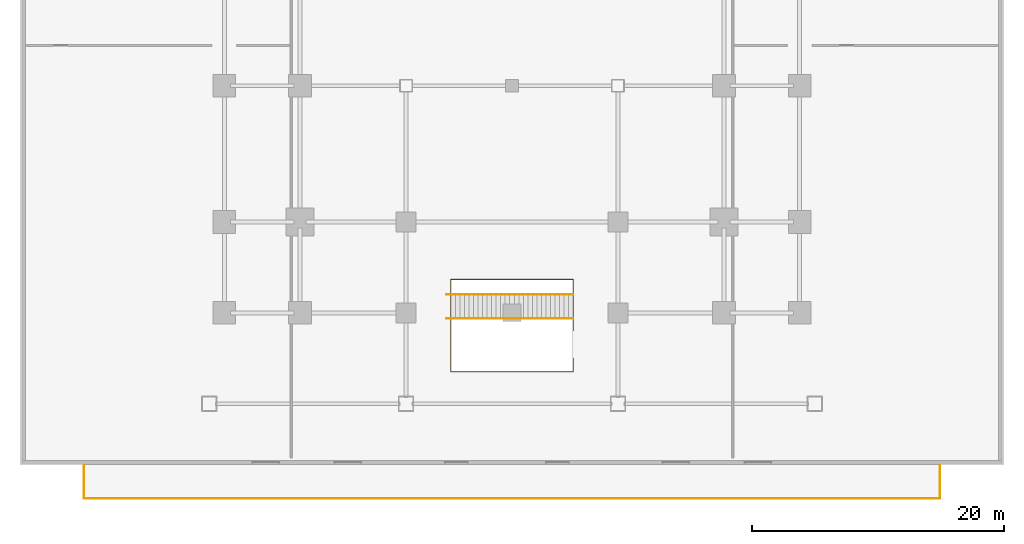
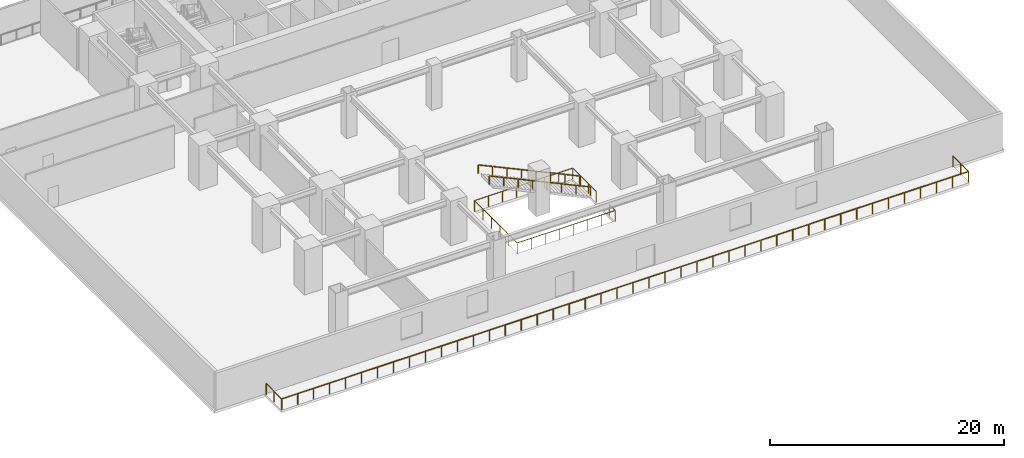
# One storey, part 12 of 17: 4 railings.
"""IFC4 building model written with IfcOpenShell, lengths in metres."""

from ifc_helpers import new_model, si_unit, direction, frame, origin, origin_2d, place, context, subcontext, project, spatial, rectangle, extrude, material, type_object, element, save


model = new_model("IFC4")

# Units and contexts
model_context = context("Model", 3, precision=1e-05, world=origin(), true_north=direction((0.0, 1.0)))
body_context = subcontext(model_context, "Body", "Model", "MODEL_VIEW")
ifc_project = project(units=[si_unit("LENGTHUNIT", "METRE"), si_unit("AREAUNIT", "SQUARE_METRE"), si_unit("VOLUMEUNIT", "CUBIC_METRE"), si_unit("PLANEANGLEUNIT", "RADIAN"), si_unit("MASSUNIT", "GRAM", prefix="KILO")], contexts=[model_context])

# Site, building, storey
site_placement = place(None, origin())
site = spatial("IfcSite", under=ifc_project, at=site_placement, CompositionType="ELEMENT")
building_placement = place(site_placement, origin())
building = spatial("IfcBuilding", under=site, at=building_placement, Name="Sumidabori Civic Tower", CompositionType="ELEMENT")
storey_placement = place(building_placement, frame((0.0, 0.0, 5.0)))
storey = spatial("IfcBuildingStorey", under=building, at=storey_placement, Name="L01", CompositionType="ELEMENT", Elevation=5.0)

# Railings
ifc_material_1 = material(Name="Anodised Bronze Aluminium AW-6063-T6", Category="aluminium")
railing_type_1 = type_object("IfcRailingType", Name="RL-BAL-1150", PredefinedType="BALUSTRADE", material=ifc_material_1)
railing_1_placement = place(storey_placement, frame((-33.919921875, -30.080078125, 0.0)))
element("IfcRailing", 1, at=railing_1_placement, inside=storey, type_object=railing_type_1, Name="Podium Terrace Balustrade TER-L01-S", PredefinedType="BALUSTRADE", context=body_context, shape_type="SweptSolid", body=[
    extrude(rectangle(XDim=0.048095703125, YDim=0.048095703125, at=origin_2d()), frame((0.0, 0.0, 1.1259765625), z_axis=(0.0, -1.0, 0.0), x_axis=(1.0, 0.0, 0.0)), (0.0, 0.0, 1.0), 2.639892578125),
    extrude(rectangle(XDim=0.048095703125, YDim=0.048095703125, at=origin_2d()), frame((0.0, -2.639892578125, 1.1259765625), z_axis=(1.0, 0.0, 0.0), x_axis=(0.0, 1.0, 0.0)), (0.0, 0.0, 1.0), 67.83984375),
    extrude(rectangle(XDim=0.048095703125, YDim=0.048095703125, at=origin_2d()), frame((67.83984375, -2.639892578125, 1.1259765625), z_axis=(0.0, 1.0, 0.0), x_axis=(-1.0, 0.0, 0.0)), (0.0, 0.0, 1.0), 2.639892578125),
    extrude(rectangle(XDim=0.0419921875, YDim=0.0419921875, at=origin_2d()), origin(), (0.0, 0.0, 1.0), 1.101806640625),
    extrude(rectangle(XDim=0.0419921875, YDim=0.0419921875, at=origin_2d()), frame((0.0, -1.31982421875, 0.0)), (0.0, 0.0, 1.0), 1.101806640625),
    extrude(rectangle(XDim=0.0419921875, YDim=0.0419921875, at=origin_2d()), frame((0.0, -2.639892578125, 0.0)), (0.0, 0.0, 1.0), 1.101806640625),
    extrude(rectangle(XDim=0.0419921875, YDim=0.0419921875, at=origin_2d()), frame((1.57763671875, -2.639892578125, 0.0)), (0.0, 0.0, 1.0), 1.101806640625),
    extrude(rectangle(XDim=0.0419921875, YDim=0.0419921875, at=origin_2d()), frame((3.1552734375, -2.639892578125, 0.0)), (0.0, 0.0, 1.0), 1.101806640625),
    extrude(rectangle(XDim=0.0419921875, YDim=0.0419921875, at=origin_2d()), frame((4.73291015625, -2.639892578125, 0.0)), (0.0, 0.0, 1.0), 1.101806640625),
    extrude(rectangle(XDim=0.0419921875, YDim=0.0419921875, at=origin_2d()), frame((6.310791015625, -2.639892578125, 0.0)), (0.0, 0.0, 1.0), 1.101806640625),
    extrude(rectangle(XDim=0.0419921875, YDim=0.0419921875, at=origin_2d()), frame((7.888427734375, -2.639892578125, 0.0)), (0.0, 0.0, 1.0), 1.101806640625),
    extrude(rectangle(XDim=0.0419921875, YDim=0.0419921875, at=origin_2d()), frame((9.466064453125, -2.639892578125, 0.0)), (0.0, 0.0, 1.0), 1.101806640625),
    extrude(rectangle(XDim=0.0419921875, YDim=0.0419921875, at=origin_2d()), frame((11.043701171875, -2.639892578125, 0.0)), (0.0, 0.0, 1.0), 1.101806640625),
    extrude(rectangle(XDim=0.0419921875, YDim=0.0419921875, at=origin_2d()), frame((12.621337890625, -2.639892578125, 0.0)), (0.0, 0.0, 1.0), 1.101806640625),
    extrude(rectangle(XDim=0.0419921875, YDim=0.0419921875, at=origin_2d()), frame((14.198974609375, -2.639892578125, 0.0)), (0.0, 0.0, 1.0), 1.101806640625),
    extrude(rectangle(XDim=0.0419921875, YDim=0.0419921875, at=origin_2d()), frame((15.776611328125, -2.639892578125, 0.0)), (0.0, 0.0, 1.0), 1.101806640625),
    extrude(rectangle(XDim=0.0419921875, YDim=0.0419921875, at=origin_2d()), frame((17.3544921875, -2.639892578125, 0.0)), (0.0, 0.0, 1.0), 1.101806640625),
    extrude(rectangle(XDim=0.0419921875, YDim=0.0419921875, at=origin_2d()), frame((18.93212890625, -2.639892578125, 0.0)), (0.0, 0.0, 1.0), 1.101806640625),
    extrude(rectangle(XDim=0.0419921875, YDim=0.0419921875, at=origin_2d()), frame((20.509765625, -2.639892578125, 0.0)), (0.0, 0.0, 1.0), 1.101806640625),
    extrude(rectangle(XDim=0.0419921875, YDim=0.0419921875, at=origin_2d()), frame((22.08740234375, -2.639892578125, 0.0)), (0.0, 0.0, 1.0), 1.101806640625),
    extrude(rectangle(XDim=0.0419921875, YDim=0.0419921875, at=origin_2d()), frame((23.6650390625, -2.639892578125, 0.0)), (0.0, 0.0, 1.0), 1.101806640625),
    extrude(rectangle(XDim=0.0419921875, YDim=0.0419921875, at=origin_2d()), frame((25.24267578125, -2.639892578125, 0.0)), (0.0, 0.0, 1.0), 1.101806640625),
    extrude(rectangle(XDim=0.0419921875, YDim=0.0419921875, at=origin_2d()), frame((26.8203125, -2.639892578125, 0.0)), (0.0, 0.0, 1.0), 1.101806640625),
    extrude(rectangle(XDim=0.0419921875, YDim=0.0419921875, at=origin_2d()), frame((28.398193359375, -2.639892578125, 0.0)), (0.0, 0.0, 1.0), 1.101806640625),
    extrude(rectangle(XDim=0.0419921875, YDim=0.0419921875, at=origin_2d()), frame((29.975830078125, -2.639892578125, 0.0)), (0.0, 0.0, 1.0), 1.101806640625),
    extrude(rectangle(XDim=0.0419921875, YDim=0.0419921875, at=origin_2d()), frame((31.553466796875, -2.639892578125, 0.0)), (0.0, 0.0, 1.0), 1.101806640625),
    extrude(rectangle(XDim=0.0419921875, YDim=0.0419921875, at=origin_2d()), frame((33.131103515625, -2.639892578125, 0.0)), (0.0, 0.0, 1.0), 1.101806640625),
    extrude(rectangle(XDim=0.0419921875, YDim=0.0419921875, at=origin_2d()), frame((34.708740234375, -2.639892578125, 0.0)), (0.0, 0.0, 1.0), 1.101806640625),
    extrude(rectangle(XDim=0.0419921875, YDim=0.0419921875, at=origin_2d()), frame((36.286376953125, -2.639892578125, 0.0)), (0.0, 0.0, 1.0), 1.101806640625),
    extrude(rectangle(XDim=0.0419921875, YDim=0.0419921875, at=origin_2d()), frame((37.864013671875, -2.639892578125, 0.0)), (0.0, 0.0, 1.0), 1.101806640625),
    extrude(rectangle(XDim=0.0419921875, YDim=0.0419921875, at=origin_2d()), frame((39.441650390625, -2.639892578125, 0.0)), (0.0, 0.0, 1.0), 1.101806640625),
    extrude(rectangle(XDim=0.0419921875, YDim=0.0419921875, at=origin_2d()), frame((41.01953125, -2.639892578125, 0.0)), (0.0, 0.0, 1.0), 1.101806640625),
    extrude(rectangle(XDim=0.0419921875, YDim=0.0419921875, at=origin_2d()), frame((42.59716796875, -2.639892578125, 0.0)), (0.0, 0.0, 1.0), 1.101806640625),
    extrude(rectangle(XDim=0.0419921875, YDim=0.0419921875, at=origin_2d()), frame((44.1748046875, -2.639892578125, 0.0)), (0.0, 0.0, 1.0), 1.101806640625),
    extrude(rectangle(XDim=0.0419921875, YDim=0.0419921875, at=origin_2d()), frame((45.75244140625, -2.639892578125, 0.0)), (0.0, 0.0, 1.0), 1.101806640625),
    extrude(rectangle(XDim=0.0419921875, YDim=0.0419921875, at=origin_2d()), frame((47.330078125, -2.639892578125, 0.0)), (0.0, 0.0, 1.0), 1.101806640625),
    extrude(rectangle(XDim=0.0419921875, YDim=0.0419921875, at=origin_2d()), frame((48.90771484375, -2.639892578125, 0.0)), (0.0, 0.0, 1.0), 1.101806640625),
    extrude(rectangle(XDim=0.0419921875, YDim=0.0419921875, at=origin_2d()), frame((50.4853515625, -2.639892578125, 0.0)), (0.0, 0.0, 1.0), 1.101806640625),
    extrude(rectangle(XDim=0.0419921875, YDim=0.0419921875, at=origin_2d()), frame((52.063232421875, -2.639892578125, 0.0)), (0.0, 0.0, 1.0), 1.101806640625),
    extrude(rectangle(XDim=0.0419921875, YDim=0.0419921875, at=origin_2d()), frame((53.640869140625, -2.639892578125, 0.0)), (0.0, 0.0, 1.0), 1.101806640625),
    extrude(rectangle(XDim=0.0419921875, YDim=0.0419921875, at=origin_2d()), frame((55.218505859375, -2.639892578125, 0.0)), (0.0, 0.0, 1.0), 1.101806640625),
    extrude(rectangle(XDim=0.0419921875, YDim=0.0419921875, at=origin_2d()), frame((56.796142578125, -2.639892578125, 0.0)), (0.0, 0.0, 1.0), 1.101806640625),
    extrude(rectangle(XDim=0.0419921875, YDim=0.0419921875, at=origin_2d()), frame((58.373779296875, -2.639892578125, 0.0)), (0.0, 0.0, 1.0), 1.101806640625),
    extrude(rectangle(XDim=0.0419921875, YDim=0.0419921875, at=origin_2d()), frame((59.951416015625, -2.639892578125, 0.0)), (0.0, 0.0, 1.0), 1.101806640625),
    extrude(rectangle(XDim=0.0419921875, YDim=0.0419921875, at=origin_2d()), frame((61.529052734375, -2.639892578125, 0.0)), (0.0, 0.0, 1.0), 1.101806640625),
    extrude(rectangle(XDim=0.0419921875, YDim=0.0419921875, at=origin_2d()), frame((63.10693359375, -2.639892578125, 0.0)), (0.0, 0.0, 1.0), 1.101806640625),
    extrude(rectangle(XDim=0.0419921875, YDim=0.0419921875, at=origin_2d()), frame((64.6845703125, -2.639892578125, 0.0)), (0.0, 0.0, 1.0), 1.101806640625),
    extrude(rectangle(XDim=0.0419921875, YDim=0.0419921875, at=origin_2d()), frame((66.26220703125, -2.639892578125, 0.0)), (0.0, 0.0, 1.0), 1.101806640625),
    extrude(rectangle(XDim=0.0419921875, YDim=0.0419921875, at=origin_2d()), frame((67.83984375, -2.639892578125, 0.0)), (0.0, 0.0, 1.0), 1.101806640625),
    extrude(rectangle(XDim=0.0419921875, YDim=0.0419921875, at=origin_2d()), frame((67.83984375, -1.31982421875, 0.0)), (0.0, 0.0, 1.0), 1.101806640625),
    extrude(rectangle(XDim=0.0419921875, YDim=0.0419921875, at=origin_2d()), frame((67.83984375, 0.0, 0.0)), (0.0, 0.0, 1.0), 1.101806640625),
])
ifc_material_2 = material(Name="Stainless Steel Hairline Finish", Category="steel")
railing_type_2 = type_object("IfcRailingType", Name="RL-HANDRAIL", PredefinedType="HANDRAIL", material=ifc_material_2)
for number, where, name in (
    (2, (4.820068359375, -18.449951171875, 0.166015625), "Stair Handrail ST:L01:ATR-2-L"),
    (3, (4.820068359375, -16.550048828125, 0.166015625), "Stair Handrail ST:L01:ATR-2-R"),
):
    element("IfcRailing", number, at=place(storey_placement, frame(where)), inside=storey, type_object=railing_type_2, Name=name, PredefinedType="HANDRAIL", context=body_context, shape_type="SweptSolid", body=[
        extrude(rectangle(XDim=0.048095703125, YDim=0.048095703125, at=origin_2d()), frame((0.0, 0.0, 0.8759765625), z_axis=(-0.906632882155, 0.0, 0.421920391774), x_axis=(0.0, -1.0, 0.0)), (0.0, 0.0, 1.0), 11.026611328125),
        extrude(rectangle(XDim=0.0419921875, YDim=0.0419921875, at=origin_2d()), origin(), (0.0, 0.0, 1.0), 0.851806640625),
        extrude(rectangle(XDim=0.0419921875, YDim=0.0419921875, at=origin_2d()), frame((-1.42822265625, 0.0, 0.66455078125)), (0.0, 0.0, 1.0), 0.851806640625),
        extrude(rectangle(XDim=0.0419921875, YDim=0.0419921875, at=origin_2d()), frame((-2.856201171875, 0.0, 1.329345703125)), (0.0, 0.0, 1.0), 0.851806640625),
        extrude(rectangle(XDim=0.0419921875, YDim=0.0419921875, at=origin_2d()), frame((-4.284423828125, 0.0, 1.993896484375)), (0.0, 0.0, 1.0), 0.851806640625),
        extrude(rectangle(XDim=0.0419921875, YDim=0.0419921875, at=origin_2d()), frame((-5.712646484375, 0.0, 2.658447265625)), (0.0, 0.0, 1.0), 0.851806640625),
        extrude(rectangle(XDim=0.0419921875, YDim=0.0419921875, at=origin_2d()), frame((-7.140869140625, 0.0, 3.322998046875)), (0.0, 0.0, 1.0), 0.851806640625),
        extrude(rectangle(XDim=0.0419921875, YDim=0.0419921875, at=origin_2d()), frame((-8.56884765625, 0.0, 3.98779296875)), (0.0, 0.0, 1.0), 0.851806640625),
        extrude(rectangle(XDim=0.0419921875, YDim=0.0419921875, at=origin_2d()), frame((-9.9970703125, 0.0, 4.65234375)), (0.0, 0.0, 1.0), 0.851806640625),
    ])
ifc_material_3 = material(Name="Steel SN490", Category="steel")
railing_type_3 = type_object("IfcRailingType", Name="RL-STAIR-GUARD", PredefinedType="GUARDRAIL", material=ifc_material_3)
railing_2_placement = place(storey_placement, frame((4.85009765625, -19.39990234375, 0.0)))
element("IfcRailing", 4, at=railing_2_placement, inside=storey, type_object=railing_type_3, Name="Podium Atrium Stairwell Guard L01", PredefinedType="GUARDRAIL", context=body_context, shape_type="SweptSolid", body=[
    extrude(rectangle(XDim=0.048095703125, YDim=0.048095703125, at=origin_2d()), frame((0.0, 0.0, 1.1259765625), z_axis=(0.0, 1.0, 0.0), x_axis=(-1.0, 0.0, 0.0)), (0.0, 0.0, 1.0), 4.0498046875),
    extrude(rectangle(XDim=0.048095703125, YDim=0.048095703125, at=origin_2d()), frame((0.0, 4.0498046875, 1.1259765625), z_axis=(-1.0, 0.0, 0.0), x_axis=(0.0, -1.0, 0.0)), (0.0, 0.0, 1.0), 9.7001953125),
    extrude(rectangle(XDim=0.048095703125, YDim=0.048095703125, at=origin_2d()), frame((-9.7001953125, 4.0498046875, 1.1259765625), z_axis=(0.0, -1.0, 0.0), x_axis=(1.0, 0.0, 0.0)), (0.0, 0.0, 1.0), 7.2998046875),
    extrude(rectangle(XDim=0.048095703125, YDim=0.048095703125, at=origin_2d()), frame((-9.7001953125, -3.25, 1.1259765625), z_axis=(1.0, 0.0, 0.0), x_axis=(0.0, 1.0, 0.0)), (0.0, 0.0, 1.0), 9.7001953125),
    extrude(rectangle(XDim=0.048095703125, YDim=0.048095703125, at=origin_2d()), frame((0.0, -3.25, 1.1259765625), z_axis=(0.0, 1.0, 0.0), x_axis=(-1.0, 0.0, 0.0)), (0.0, 0.0, 1.0), 1.0498046875),
    extrude(rectangle(XDim=0.0419921875, YDim=0.0419921875, at=origin_2d()), origin(), (0.0, 0.0, 1.0), 1.101806640625),
    extrude(rectangle(XDim=0.0419921875, YDim=0.0419921875, at=origin_2d()), frame((0.0, 1.349853515625, 0.0)), (0.0, 0.0, 1.0), 1.101806640625),
    extrude(rectangle(XDim=0.0419921875, YDim=0.0419921875, at=origin_2d()), frame((0.0, 2.699951171875, 0.0)), (0.0, 0.0, 1.0), 1.101806640625),
    extrude(rectangle(XDim=0.0419921875, YDim=0.0419921875, at=origin_2d()), frame((0.0, 4.0498046875, 0.0)), (0.0, 0.0, 1.0), 1.101806640625),
    extrude(rectangle(XDim=0.0419921875, YDim=0.0419921875, at=origin_2d()), frame((-1.3857421875, 4.0498046875, 0.0)), (0.0, 0.0, 1.0), 1.101806640625),
    extrude(rectangle(XDim=0.0419921875, YDim=0.0419921875, at=origin_2d()), frame((-2.771484375, 4.0498046875, 0.0)), (0.0, 0.0, 1.0), 1.101806640625),
    extrude(rectangle(XDim=0.0419921875, YDim=0.0419921875, at=origin_2d()), frame((-4.1572265625, 4.0498046875, 0.0)), (0.0, 0.0, 1.0), 1.101806640625),
    extrude(rectangle(XDim=0.0419921875, YDim=0.0419921875, at=origin_2d()), frame((-5.54296875, 4.0498046875, 0.0)), (0.0, 0.0, 1.0), 1.101806640625),
    extrude(rectangle(XDim=0.0419921875, YDim=0.0419921875, at=origin_2d()), frame((-6.9287109375, 4.0498046875, 0.0)), (0.0, 0.0, 1.0), 1.101806640625),
    extrude(rectangle(XDim=0.0419921875, YDim=0.0419921875, at=origin_2d()), frame((-8.314453125, 4.0498046875, 0.0)), (0.0, 0.0, 1.0), 1.101806640625),
    extrude(rectangle(XDim=0.0419921875, YDim=0.0419921875, at=origin_2d()), frame((-9.7001953125, 4.0498046875, 0.0)), (0.0, 0.0, 1.0), 1.101806640625),
    extrude(rectangle(XDim=0.0419921875, YDim=0.0419921875, at=origin_2d()), frame((-9.7001953125, 2.58984375, 0.0)), (0.0, 0.0, 1.0), 1.101806640625),
    extrude(rectangle(XDim=0.0419921875, YDim=0.0419921875, at=origin_2d()), frame((-9.7001953125, 1.1298828125, 0.0)), (0.0, 0.0, 1.0), 1.101806640625),
    extrude(rectangle(XDim=0.0419921875, YDim=0.0419921875, at=origin_2d()), frame((-9.7001953125, -0.330078125, 0.0)), (0.0, 0.0, 1.0), 1.101806640625),
    extrude(rectangle(XDim=0.0419921875, YDim=0.0419921875, at=origin_2d()), frame((-9.7001953125, -1.7900390625, 0.0)), (0.0, 0.0, 1.0), 1.101806640625),
    extrude(rectangle(XDim=0.0419921875, YDim=0.0419921875, at=origin_2d()), frame((-9.7001953125, -3.25, 0.0)), (0.0, 0.0, 1.0), 1.101806640625),
    extrude(rectangle(XDim=0.0419921875, YDim=0.0419921875, at=origin_2d()), frame((-8.314453125, -3.25, 0.0)), (0.0, 0.0, 1.0), 1.101806640625),
    extrude(rectangle(XDim=0.0419921875, YDim=0.0419921875, at=origin_2d()), frame((-6.9287109375, -3.25, 0.0)), (0.0, 0.0, 1.0), 1.101806640625),
    extrude(rectangle(XDim=0.0419921875, YDim=0.0419921875, at=origin_2d()), frame((-5.54296875, -3.25, 0.0)), (0.0, 0.0, 1.0), 1.101806640625),
    extrude(rectangle(XDim=0.0419921875, YDim=0.0419921875, at=origin_2d()), frame((-4.1572265625, -3.25, 0.0)), (0.0, 0.0, 1.0), 1.101806640625),
    extrude(rectangle(XDim=0.0419921875, YDim=0.0419921875, at=origin_2d()), frame((-2.771484375, -3.25, 0.0)), (0.0, 0.0, 1.0), 1.101806640625),
    extrude(rectangle(XDim=0.0419921875, YDim=0.0419921875, at=origin_2d()), frame((-1.3857421875, -3.25, 0.0)), (0.0, 0.0, 1.0), 1.101806640625),
    extrude(rectangle(XDim=0.0419921875, YDim=0.0419921875, at=origin_2d()), frame((0.0, -3.25, 0.0)), (0.0, 0.0, 1.0), 1.101806640625),
    extrude(rectangle(XDim=0.0419921875, YDim=0.0419921875, at=origin_2d()), frame((0.0, -2.2001953125, 0.0)), (0.0, 0.0, 1.0), 1.101806640625),
])

save(model, "model.ifc")
